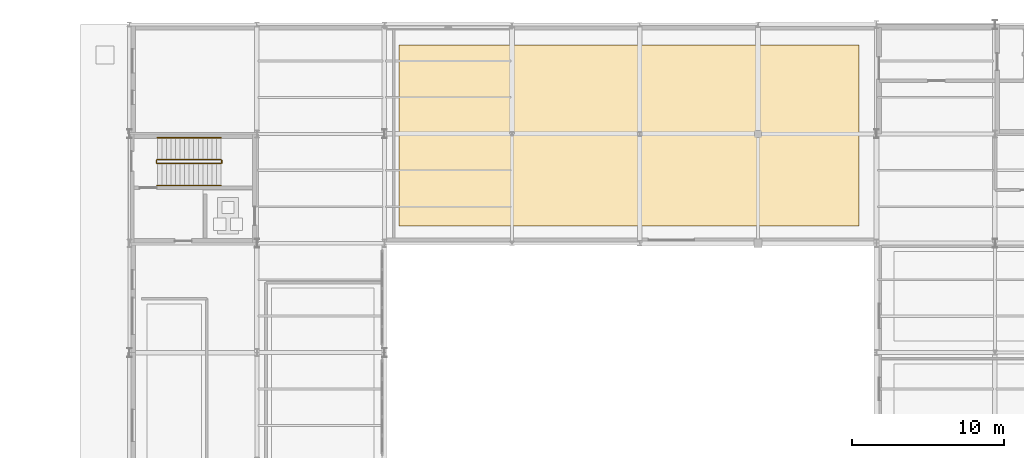
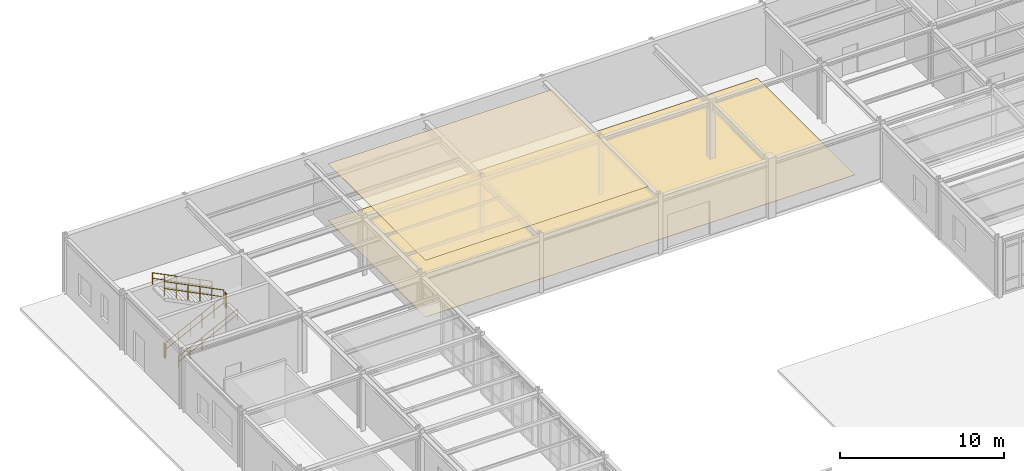
# One storey, part 94 of 101: 6 railings, 2 coverings.
"""IFC4 building model written with IfcOpenShell, lengths in metres."""

from ifc_helpers import new_model, si_unit, derived_unit, direction, frame, origin, origin_2d, place, context, subcontext, project, spatial, polyline, circle, outline, extrude, material, layer, layer_set, type_object, element, save


model = new_model("IFC4")

# Units and contexts
model_context = context("Model", 3, precision=1e-05, world=origin(), true_north=direction((0.0, 1.0)))
body_context = subcontext(model_context, "Body", "Model", "MODEL_VIEW")
ifc_project = project(units=[si_unit("LENGTHUNIT", "METRE"), si_unit("AREAUNIT", "SQUARE_METRE"), si_unit("VOLUMEUNIT", "CUBIC_METRE"), si_unit("PLANEANGLEUNIT", "RADIAN"), si_unit("MASSUNIT", "GRAM", prefix="KILO"), derived_unit("THERMALTRANSMITTANCEUNIT", [(si_unit("POWERUNIT", "WATT"), 1), (si_unit("AREAUNIT", "SQUARE_METRE"), -1), (si_unit("THERMODYNAMICTEMPERATUREUNIT", "KELVIN"), -1)])], contexts=[model_context])

# Site, building, storey
site_placement = place(None, origin())
site = spatial("IfcSite", under=ifc_project, at=site_placement, CompositionType="ELEMENT")
building_placement = place(site_placement, origin())
building = spatial("IfcBuilding", under=site, at=building_placement, Name="Yasenodar Specialist Clinic", CompositionType="ELEMENT")
storey_placement = place(building_placement, origin())
storey = spatial("IfcBuildingStorey", under=building, at=storey_placement, Name="L00", CompositionType="ELEMENT", Elevation=0.0)

# Coverings
ifc_material_1 = material(Name="Hygienic Acoustic Mineral-Fibre Ceiling")
ifc_layer_1 = layer(ifc_material_1, 0.02490234375)
ifc_layer_set_1 = layer_set([ifc_layer_1], Name="Hygienic Acoustic Mineral-Fibre Ceiling")
covering_type_1 = type_object("IfcCoveringType", Name="COV-CEIL-AC", PredefinedType="CEILING", material=ifc_layer_set_1)
covering_1_placement = place(storey_placement, frame((0.0, 0.0, 4.22509765625)))
element("IfcCovering", 1, at=covering_1_placement, inside=storey, type_object=covering_type_1, Name="L00 Outpatient Dispensary Pharmacy Acoustic Ceiling", PredefinedType="CEILING", context=body_context, shape_type="SweptSolid", body=[
    extrude(outline(polyline([(17.75, 98.35009765625), (17.75, 110.25), (33.5, 110.25), (33.5, 98.35009765625), (17.75, 98.35009765625)])), origin(), (0.0, 0.0, 1.0), 0.02490234375),
])
ifc_material_2 = material(Name="Seamless Epoxy Terrazzo Clinical Flooring")
ifc_layer_2 = layer(ifc_material_2, 0.02001953125)
ifc_layer_set_2 = layer_set([ifc_layer_2], Name="Seamless Epoxy Terrazzo Clinical Flooring")
covering_type_2 = type_object("IfcCoveringType", Name="COV-FLR-TERR", PredefinedType="FLOORING", material=ifc_layer_set_2)
covering_2_placement = place(storey_placement, origin())
element("IfcCovering", 2, at=covering_2_placement, inside=storey, type_object=covering_type_2, Name="L00 Outpatient Dispensary Pharmacy Terrazzo Flooring", PredefinedType="FLOORING", context=body_context, shape_type="SweptSolid", body=[
    extrude(outline(polyline([(48.050048828125, 98.35009765625), (17.75, 98.35009765625), (17.75, 110.25), (48.050048828125, 110.25), (48.050048828125, 98.35009765625)])), origin(), (0.0, 0.0, 1.0), 0.02001953125),
])

# Railings
ifc_material_3 = material(Name="Steel S355 Painted Stair Guardrail", Category="steel")
railing_type_1 = type_object("IfcRailingType", Name="RL-ST-GRD", PredefinedType="GUARDRAIL", material=ifc_material_3)
railing_1_placement = place(storey_placement, frame((1.840087890625, 102.449951171875, 0.14990234375)))
element("IfcRailing", 3, at=railing_1_placement, inside=storey, type_object=railing_type_1, Name="L00 ST-02 stair guard 1", PredefinedType="GUARDRAIL", context=body_context, shape_type="SweptSolid", body=[
    extrude(circle(Radius=0.02392578125, at=origin_2d()), frame((0.0, 0.0, 1.09619140625), z_axis=(0.894416792377, 0.0, 0.447234392142), x_axis=(0.0, 1.0, 0.0)), (0.0, 0.0, 1.0), 4.69580078125),
    extrude(circle(Radius=0.02392578125, at=origin_2d()), frame((0.0, 0.0, 0.58251953125), z_axis=(0.894416792377, 0.0, 0.447234392142), x_axis=(0.0, 1.0, 0.0)), (0.0, 0.0, 1.0), 4.69580078125),
    extrude(circle(Radius=0.02099609375, at=origin_2d()), origin(), (0.0, 0.0, 1.0), 1.072021484375),
    extrude(circle(Radius=0.02099609375, at=origin_2d()), frame((0.840087890625, 0.0, 0.419921875)), (0.0, 0.0, 1.0), 1.072021484375),
    extrude(circle(Radius=0.02099609375, at=origin_2d()), frame((1.679931640625, 0.0, 0.840087890625)), (0.0, 0.0, 1.0), 1.072021484375),
    extrude(circle(Radius=0.02099609375, at=origin_2d()), frame((2.52001953125, 0.0, 1.260009765625)), (0.0, 0.0, 1.0), 1.072021484375),
    extrude(circle(Radius=0.02099609375, at=origin_2d()), frame((3.35986328125, 0.0, 1.68017578125)), (0.0, 0.0, 1.0), 1.072021484375),
    extrude(circle(Radius=0.02099609375, at=origin_2d()), frame((4.199951171875, 0.0, 2.10009765625)), (0.0, 0.0, 1.0), 1.072021484375),
])
railing_2_placement = place(storey_placement, frame((6.090087890625, 102.5, 2.25)))
element("IfcRailing", 4, at=railing_2_placement, inside=storey, type_object=railing_type_1, Name="L00 ST-02 stair guard 2", PredefinedType="GUARDRAIL", context=body_context, shape_type="SweptSolid", body=[
    extrude(circle(Radius=0.02392578125, at=origin_2d()), frame((0.0, 0.0, 1.09619140625), z_axis=(0.0, 1.0, 0.0), x_axis=(-1.0, 0.0, 0.0)), (0.0, 0.0, 1.0), 0.159912109375),
    extrude(circle(Radius=0.02392578125, at=origin_2d()), frame((0.0, 0.0, 0.58251953125), z_axis=(0.0, 1.0, 0.0), x_axis=(-1.0, 0.0, 0.0)), (0.0, 0.0, 1.0), 0.159912109375),
    extrude(circle(Radius=0.02099609375, at=origin_2d()), origin(), (0.0, 0.0, 1.0), 1.072021484375),
    extrude(circle(Radius=0.02099609375, at=origin_2d()), frame((0.0, 0.159912109375, 0.0)), (0.0, 0.0, 1.0), 1.072021484375),
])
railing_3_placement = place(storey_placement, frame((6.0400390625, 102.7099609375, 2.39990234375)))
element("IfcRailing", 5, at=railing_3_placement, inside=storey, type_object=railing_type_1, Name="L00 ST-02 stair guard 3", PredefinedType="GUARDRAIL", context=body_context, shape_type="SweptSolid", body=[
    extrude(circle(Radius=0.02392578125, at=origin_2d()), frame((0.0, 0.0, 1.09619140625), z_axis=(-0.894416792377, 0.0, 0.447234392142), x_axis=(0.0, -1.0, 0.0)), (0.0, 0.0, 1.0), 4.69580078125),
    extrude(circle(Radius=0.02392578125, at=origin_2d()), frame((0.0, 0.0, 0.58251953125), z_axis=(-0.894416792377, 0.0, 0.447234392142), x_axis=(0.0, -1.0, 0.0)), (0.0, 0.0, 1.0), 4.69580078125),
    extrude(circle(Radius=0.02099609375, at=origin_2d()), origin(), (0.0, 0.0, 1.0), 1.072021484375),
    extrude(circle(Radius=0.02099609375, at=origin_2d()), frame((-0.840087890625, 0.0, 0.419921875)), (0.0, 0.0, 1.0), 1.072021484375),
    extrude(circle(Radius=0.02099609375, at=origin_2d()), frame((-1.679931640625, 0.0, 0.840087890625)), (0.0, 0.0, 1.0), 1.072021484375),
    extrude(circle(Radius=0.02099609375, at=origin_2d()), frame((-2.52001953125, 0.0, 1.260009765625)), (0.0, 0.0, 1.0), 1.072021484375),
    extrude(circle(Radius=0.02099609375, at=origin_2d()), frame((-3.35986328125, 0.0, 1.68017578125)), (0.0, 0.0, 1.0), 1.072021484375),
    extrude(circle(Radius=0.02099609375, at=origin_2d()), frame((-4.199951171875, 0.0, 2.10009765625)), (0.0, 0.0, 1.0), 1.072021484375),
])
railing_4_placement = place(storey_placement, frame((1.7900390625, 102.5, 0.0)))
element("IfcRailing", 6, at=railing_4_placement, inside=storey, type_object=railing_type_1, Name="L00 ST-02 stair guard 4", PredefinedType="GUARDRAIL", context=body_context, shape_type="SweptSolid", body=[
    extrude(circle(Radius=0.02392578125, at=origin_2d()), frame((0.0, 0.0, 1.09619140625), z_axis=(0.0, 1.0, 0.0), x_axis=(-1.0, 0.0, 0.0)), (0.0, 0.0, 1.0), 0.159912109375),
    extrude(circle(Radius=0.02392578125, at=origin_2d()), frame((0.0, 0.0, 0.58251953125), z_axis=(0.0, 1.0, 0.0), x_axis=(-1.0, 0.0, 0.0)), (0.0, 0.0, 1.0), 0.159912109375),
    extrude(circle(Radius=0.02099609375, at=origin_2d()), origin(), (0.0, 0.0, 1.0), 1.072021484375),
    extrude(circle(Radius=0.02099609375, at=origin_2d()), frame((0.0, 0.159912109375, 0.0)), (0.0, 0.0, 1.0), 1.072021484375),
])
ifc_material_4 = material(Name="Brushed Stainless Steel Handrail", Category="steel")
railing_type_2 = type_object("IfcRailingType", Name="RL-ST-HND", PredefinedType="HANDRAIL", material=ifc_material_4)
railing_5_placement = place(storey_placement, frame((1.840087890625, 101.010009765625, 0.14990234375)))
element("IfcRailing", 7, at=railing_5_placement, inside=storey, type_object=railing_type_2, Name="L00 ST-02 stair handrail 1", PredefinedType="HANDRAIL", context=body_context, shape_type="SweptSolid", body=[
    extrude(circle(Radius=0.02392578125, at=origin_2d()), frame((0.0, 0.0, 0.8759765625), z_axis=(0.894416792377, 0.0, 0.447234392142), x_axis=(0.0, 1.0, 0.0)), (0.0, 0.0, 1.0), 4.69580078125),
    extrude(circle(Radius=0.02392578125, at=origin_2d()), frame((0.0, 0.0, 0.468017578125), z_axis=(0.894416792377, 0.0, 0.447234392142), x_axis=(0.0, 1.0, 0.0)), (0.0, 0.0, 1.0), 4.69580078125),
    extrude(circle(Radius=0.02099609375, at=origin_2d()), origin(), (0.0, 0.0, 1.0), 0.851806640625),
    extrude(circle(Radius=0.02099609375, at=origin_2d()), frame((0.840087890625, 0.0, 0.419921875)), (0.0, 0.0, 1.0), 0.851806640625),
    extrude(circle(Radius=0.02099609375, at=origin_2d()), frame((1.679931640625, 0.0, 0.840087890625)), (0.0, 0.0, 1.0), 0.851806640625),
    extrude(circle(Radius=0.02099609375, at=origin_2d()), frame((2.52001953125, 0.0, 1.260009765625)), (0.0, 0.0, 1.0), 0.851806640625),
    extrude(circle(Radius=0.02099609375, at=origin_2d()), frame((3.35986328125, 0.0, 1.68017578125)), (0.0, 0.0, 1.0), 0.851806640625),
    extrude(circle(Radius=0.02099609375, at=origin_2d()), frame((4.199951171875, 0.0, 2.10009765625)), (0.0, 0.0, 1.0), 0.851806640625),
])
railing_6_placement = place(storey_placement, frame((6.0400390625, 104.14990234375, 2.39990234375)))
element("IfcRailing", 8, at=railing_6_placement, inside=storey, type_object=railing_type_2, Name="L00 ST-02 stair handrail 2", PredefinedType="HANDRAIL", context=body_context, shape_type="SweptSolid", body=[
    extrude(circle(Radius=0.02392578125, at=origin_2d()), frame((0.0, 0.0, 0.8759765625), z_axis=(-0.894416792377, 0.0, 0.447234392142), x_axis=(0.0, -1.0, 0.0)), (0.0, 0.0, 1.0), 4.69580078125),
    extrude(circle(Radius=0.02392578125, at=origin_2d()), frame((0.0, 0.0, 0.468017578125), z_axis=(-0.894416792377, 0.0, 0.447234392142), x_axis=(0.0, -1.0, 0.0)), (0.0, 0.0, 1.0), 4.69580078125),
    extrude(circle(Radius=0.02099609375, at=origin_2d()), origin(), (0.0, 0.0, 1.0), 0.851806640625),
    extrude(circle(Radius=0.02099609375, at=origin_2d()), frame((-0.840087890625, 0.0, 0.419921875)), (0.0, 0.0, 1.0), 0.851806640625),
    extrude(circle(Radius=0.02099609375, at=origin_2d()), frame((-1.679931640625, 0.0, 0.840087890625)), (0.0, 0.0, 1.0), 0.851806640625),
    extrude(circle(Radius=0.02099609375, at=origin_2d()), frame((-2.52001953125, 0.0, 1.260009765625)), (0.0, 0.0, 1.0), 0.851806640625),
    extrude(circle(Radius=0.02099609375, at=origin_2d()), frame((-3.35986328125, 0.0, 1.68017578125)), (0.0, 0.0, 1.0), 0.851806640625),
    extrude(circle(Radius=0.02099609375, at=origin_2d()), frame((-4.199951171875, 0.0, 2.10009765625)), (0.0, 0.0, 1.0), 0.851806640625),
])

save(model, "model.ifc")
